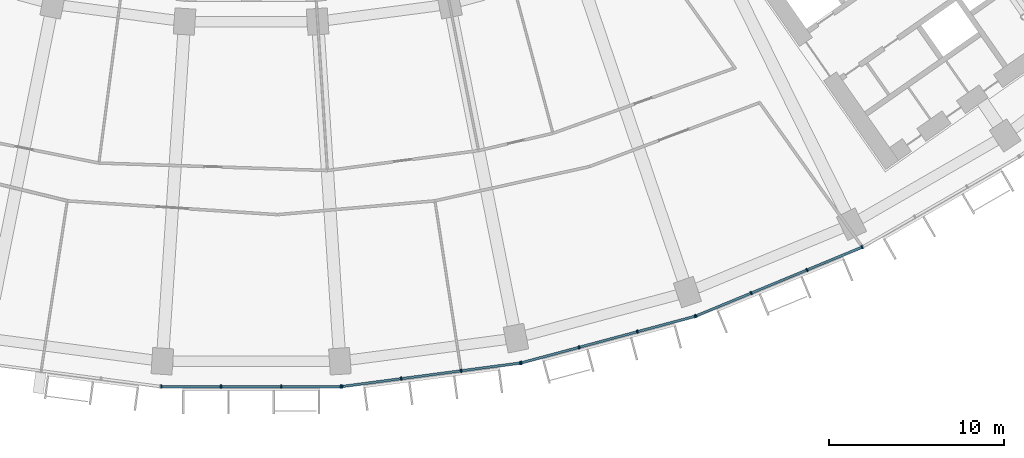
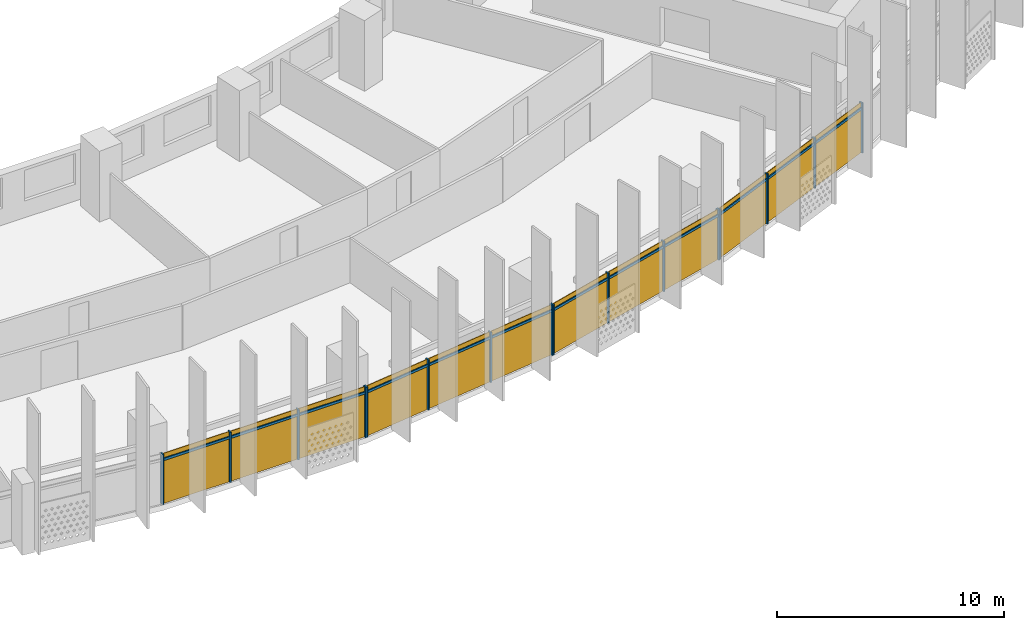
# One storey, part 21 of 30: 28 members, 4 curtain walls.
"""IFC4 building model written with IfcOpenShell, lengths in metres."""

from ifc_helpers import new_model, si_unit, direction, frame, origin, origin_2d, place, context, subcontext, project, spatial, rectangle, extrude, material, material_profile, profile_set, type_object, element, aggregate, save


model = new_model("IFC4")

# Units and contexts
model_context = context("Model", 3, precision=1e-05, world=origin(), true_north=direction((0.0, 1.0)))
body_context = subcontext(model_context, "Body", "Model", "MODEL_VIEW")
ifc_project = project(units=[si_unit("LENGTHUNIT", "METRE"), si_unit("AREAUNIT", "SQUARE_METRE"), si_unit("VOLUMEUNIT", "CUBIC_METRE"), si_unit("PLANEANGLEUNIT", "RADIAN"), si_unit("MASSUNIT", "GRAM", prefix="KILO")], contexts=[model_context])

# Member
ifc_material = material(Name="Aluminium 6063-T6 anodised", Category="aluminium")
ifc_material_profile_1 = material_profile(ifc_material, rectangle(XDim=0.199951171875, YDim=0.070068359375, at=origin_2d()))
ifc_profile_set_1 = profile_set([ifc_material_profile_1], Name="Aluminium 6063-T6 anodised")
member_type_1 = type_object("IfcMemberType", Name="Mullion 70 x 200 aluminium", PredefinedType="MULLION", material=ifc_profile_set_1)
site_placement = place(None, origin())
building_placement = place(site_placement, origin())
storey_placement = place(building_placement, frame((0.0, 0.0, 102.5)))
member_1_placement = place(storey_placement, frame((-5.1513671875, -79.0302734375, 0.0), z_axis=(0.0, 0.0, 1.0), x_axis=(0.0, 1.0, 0.0)))
member_1 = element("IfcMember", 1, at=member_1_placement, type_object=member_type_1, Name="e-cw1-L22-out09/M00", PredefinedType="MULLION", context=body_context, shape_type="SweptSolid", body=[
    extrude(rectangle(XDim=0.199951171875, YDim=0.070068359375, at=origin_2d()), origin(), (0.0, 0.0, 1.0), 2.699951171875),
])

member_2_placement = place(storey_placement, frame((-1.728759765625, -79.0302734375, 0.0), z_axis=(0.0, 0.0, 1.0), x_axis=(0.0, 1.0, 0.0)))
member_2 = element("IfcMember", 2, at=member_2_placement, type_object=member_type_1, Name="e-cw1-L22-out09/M01", PredefinedType="MULLION", context=body_context, shape_type="SweptSolid", body=[
    extrude(rectangle(XDim=0.199951171875, YDim=0.070068359375, at=origin_2d()), origin(), (0.0, 0.0, 1.0), 2.699951171875),
])

member_3_placement = place(storey_placement, frame((1.728759765625, -79.0302734375, 0.0), z_axis=(0.0, 0.0, 1.0), x_axis=(0.0, 1.0, 0.0)))
member_3 = element("IfcMember", 3, at=member_3_placement, type_object=member_type_1, Name="e-cw1-L22-out09/M02", PredefinedType="MULLION", context=body_context, shape_type="SweptSolid", body=[
    extrude(rectangle(XDim=0.199951171875, YDim=0.070068359375, at=origin_2d()), origin(), (0.0, 0.0, 1.0), 2.699951171875),
])

member_4_placement = place(storey_placement, frame((5.1513671875, -79.0302734375, 0.0), z_axis=(0.0, 0.0, 1.0), x_axis=(0.0, 1.0, 0.0)))
member_4 = element("IfcMember", 4, at=member_4_placement, type_object=member_type_1, Name="e-cw1-L22-out09/M03", PredefinedType="MULLION", context=body_context, shape_type="SweptSolid", body=[
    extrude(rectangle(XDim=0.199951171875, YDim=0.070068359375, at=origin_2d()), origin(), (0.0, 0.0, 1.0), 2.699951171875),
])

member_5_placement = place(storey_placement, frame((5.2080078125, -79.026611328125, 0.0), z_axis=(0.0, 0.0, 1.0), x_axis=(-0.13052619222, 0.991444861374, 0.0)))
member_5 = element("IfcMember", 5, at=member_5_placement, type_object=member_type_1, Name="e-cw1-L22-out10/M00", PredefinedType="MULLION", context=body_context, shape_type="SweptSolid", body=[
    extrude(rectangle(XDim=0.199951171875, YDim=0.070068359375, at=origin_2d()), origin(), (0.0, 0.0, 1.0), 2.699951171875),
])

member_6_placement = place(storey_placement, frame((8.6015625, -78.579833984375, 0.0), z_axis=(0.0, 0.0, 1.0), x_axis=(-0.13052619222, 0.991444861374, 0.0)))
member_6 = element("IfcMember", 6, at=member_6_placement, type_object=member_type_1, Name="e-cw1-L22-out10/M01", PredefinedType="MULLION", context=body_context, shape_type="SweptSolid", body=[
    extrude(rectangle(XDim=0.199951171875, YDim=0.070068359375, at=origin_2d()), origin(), (0.0, 0.0, 1.0), 2.699951171875),
])

member_7_placement = place(storey_placement, frame((12.029541015625, -78.12841796875, 0.0), z_axis=(0.0, 0.0, 1.0), x_axis=(-0.13052619222, 0.991444861374, 0.0)))
member_7 = element("IfcMember", 7, at=member_7_placement, type_object=member_type_1, Name="e-cw1-L22-out10/M02", PredefinedType="MULLION", context=body_context, shape_type="SweptSolid", body=[
    extrude(rectangle(XDim=0.199951171875, YDim=0.070068359375, at=origin_2d()), origin(), (0.0, 0.0, 1.0), 2.699951171875),
])

member_8_placement = place(storey_placement, frame((15.4228515625, -77.681640625, 0.0), z_axis=(0.0, 0.0, 1.0), x_axis=(-0.13052619222, 0.991444861374, 0.0)))
member_8 = element("IfcMember", 8, at=member_8_placement, type_object=member_type_1, Name="e-cw1-L22-out10/M03", PredefinedType="MULLION", context=body_context, shape_type="SweptSolid", body=[
    extrude(rectangle(XDim=0.199951171875, YDim=0.070068359375, at=origin_2d()), origin(), (0.0, 0.0, 1.0), 2.699951171875),
])

member_9_placement = place(storey_placement, frame((15.478515625, -77.670654296875, 0.0), z_axis=(0.0, 0.0, 1.0), x_axis=(-0.258819045103, 0.965925826289, 0.0)))
member_9 = element("IfcMember", 9, at=member_9_placement, type_object=member_type_1, Name="e-cw1-L22-out11/M00", PredefinedType="MULLION", context=body_context, shape_type="SweptSolid", body=[
    extrude(rectangle(XDim=0.199951171875, YDim=0.070068359375, at=origin_2d()), origin(), (0.0, 0.0, 1.0), 2.699951171875),
])

member_10_placement = place(storey_placement, frame((18.78466796875, -76.78466796875, 0.0), z_axis=(0.0, 0.0, 1.0), x_axis=(-0.258819045103, 0.965925826289, 0.0)))
member_10 = element("IfcMember", 10, at=member_10_placement, type_object=member_type_1, Name="e-cw1-L22-out11/M01", PredefinedType="MULLION", context=body_context, shape_type="SweptSolid", body=[
    extrude(rectangle(XDim=0.199951171875, YDim=0.070068359375, at=origin_2d()), origin(), (0.0, 0.0, 1.0), 2.699951171875),
])

member_11_placement = place(storey_placement, frame((22.12451171875, -75.889892578125, 0.0), z_axis=(0.0, 0.0, 1.0), x_axis=(-0.258819045103, 0.965925826289, 0.0)))
member_11 = element("IfcMember", 11, at=member_11_placement, type_object=member_type_1, Name="e-cw1-L22-out11/M02", PredefinedType="MULLION", context=body_context, shape_type="SweptSolid", body=[
    extrude(rectangle(XDim=0.199951171875, YDim=0.070068359375, at=origin_2d()), origin(), (0.0, 0.0, 1.0), 2.699951171875),
])

member_12_placement = place(storey_placement, frame((25.430419921875, -75.00390625, 0.0), z_axis=(0.0, 0.0, 1.0), x_axis=(-0.258819045103, 0.965925826289, 0.0)))
member_12 = element("IfcMember", 12, at=member_12_placement, type_object=member_type_1, Name="e-cw1-L22-out11/M03", PredefinedType="MULLION", context=body_context, shape_type="SweptSolid", body=[
    extrude(rectangle(XDim=0.199951171875, YDim=0.070068359375, at=origin_2d()), origin(), (0.0, 0.0, 1.0), 2.699951171875),
])

member_13_placement = place(storey_placement, frame((25.484130859375, -74.98583984375, 0.0), z_axis=(0.0, 0.0, 1.0), x_axis=(-0.382683432365, 0.923879532511, 0.0)))
member_13 = element("IfcMember", 13, at=member_13_placement, type_object=member_type_1, Name="e-cw1-L22-out12/M00", PredefinedType="MULLION", context=body_context, shape_type="SweptSolid", body=[
    extrude(rectangle(XDim=0.199951171875, YDim=0.070068359375, at=origin_2d()), origin(), (0.0, 0.0, 1.0), 2.699951171875),
])

member_14_placement = place(storey_placement, frame((28.646240234375, -73.676025390625, 0.0), z_axis=(0.0, 0.0, 1.0), x_axis=(-0.382683432365, 0.923879532511, 0.0)))
member_14 = element("IfcMember", 14, at=member_14_placement, type_object=member_type_1, Name="e-cw1-L22-out12/M01", PredefinedType="MULLION", context=body_context, shape_type="SweptSolid", body=[
    extrude(rectangle(XDim=0.199951171875, YDim=0.070068359375, at=origin_2d()), origin(), (0.0, 0.0, 1.0), 2.699951171875),
])

member_15_placement = place(storey_placement, frame((31.8408203125, -72.352783203125, 0.0), z_axis=(0.0, 0.0, 1.0), x_axis=(-0.382683432365, 0.923879532511, 0.0)))
member_15 = element("IfcMember", 15, at=member_15_placement, type_object=member_type_1, Name="e-cw1-L22-out12/M02", PredefinedType="MULLION", context=body_context, shape_type="SweptSolid", body=[
    extrude(rectangle(XDim=0.199951171875, YDim=0.070068359375, at=origin_2d()), origin(), (0.0, 0.0, 1.0), 2.699951171875),
])

member_16_placement = place(storey_placement, frame((35.0029296875, -71.04296875, 0.0), z_axis=(0.0, 0.0, 1.0), x_axis=(-0.382683432365, 0.923879532511, 0.0)))
member_16 = element("IfcMember", 16, at=member_16_placement, type_object=member_type_1, Name="e-cw1-L22-out12/M03", PredefinedType="MULLION", context=body_context, shape_type="SweptSolid", body=[
    extrude(rectangle(XDim=0.199951171875, YDim=0.070068359375, at=origin_2d()), origin(), (0.0, 0.0, 1.0), 2.699951171875),
])

ifc_material_profile_2 = material_profile(ifc_material, rectangle(XDim=0.139892578125, YDim=0.1201171875, at=origin_2d()))
ifc_profile_set_2 = profile_set([ifc_material_profile_2], Name="Aluminium 6063-T6 anodised")
member_type_2 = type_object("IfcMemberType", Name="Transom 120 x 140 aluminium", PredefinedType="USERDEFINED", material=ifc_profile_set_2)
member_17_placement = place(storey_placement, frame((-5.116455078125, -79.0302734375, 2.39990234375), z_axis=(1.0, 0.0, 0.0), x_axis=(0.0, 1.0, 0.0)))
member_17 = element("IfcMember", 17, at=member_17_placement, type_object=member_type_2, Name="e-cw1-L22-out09/T00", ObjectType="TRANSOM", PredefinedType="USERDEFINED", context=body_context, shape_type="SweptSolid", body=[
    extrude(rectangle(XDim=0.139892578125, YDim=0.1201171875, at=origin_2d()), origin(), (0.0, 0.0, 1.0), 3.3525390625),
])

member_18_placement = place(storey_placement, frame((-1.69384765625, -79.0302734375, 2.39990234375), z_axis=(1.0, 0.0, 0.0), x_axis=(0.0, 1.0, 0.0)))
member_18 = element("IfcMember", 18, at=member_18_placement, type_object=member_type_2, Name="e-cw1-L22-out09/T01", ObjectType="TRANSOM", PredefinedType="USERDEFINED", context=body_context, shape_type="SweptSolid", body=[
    extrude(rectangle(XDim=0.139892578125, YDim=0.1201171875, at=origin_2d()), origin(), (0.0, 0.0, 1.0), 3.3876953125),
])

member_19_placement = place(storey_placement, frame((1.763916015625, -79.0302734375, 2.39990234375), z_axis=(1.0, 0.0, 0.0), x_axis=(0.0, 1.0, 0.0)))
member_19 = element("IfcMember", 19, at=member_19_placement, type_object=member_type_2, Name="e-cw1-L22-out09/T02", ObjectType="TRANSOM", PredefinedType="USERDEFINED", context=body_context, shape_type="SweptSolid", body=[
    extrude(rectangle(XDim=0.139892578125, YDim=0.1201171875, at=origin_2d()), origin(), (0.0, 0.0, 1.0), 3.3525390625),
])

member_20_placement = place(storey_placement, frame((5.242919921875, -79.02197265625, 2.39990234375), z_axis=(0.991439665896, 0.130565649721, 0.0), x_axis=(-0.130565649721, 0.991439665896, 0.0)))
member_20 = element("IfcMember", 20, at=member_20_placement, type_object=member_type_2, Name="e-cw1-L22-out10/T00", ObjectType="TRANSOM", PredefinedType="USERDEFINED", context=body_context, shape_type="SweptSolid", body=[
    extrude(rectangle(XDim=0.139892578125, YDim=0.1201171875, at=origin_2d()), origin(), (0.0, 0.0, 1.0), 3.352783203125),
])

member_21_placement = place(storey_placement, frame((8.63623046875, -78.5751953125, 2.39990234375), z_axis=(0.991446198807, 0.130516033004, 0.0), x_axis=(-0.130516033004, 0.991446198807, 0.0)))
member_21 = element("IfcMember", 21, at=member_21_placement, type_object=member_type_2, Name="e-cw1-L22-out10/T01", ObjectType="TRANSOM", PredefinedType="USERDEFINED", context=body_context, shape_type="SweptSolid", body=[
    extrude(rectangle(XDim=0.139892578125, YDim=0.1201171875, at=origin_2d()), origin(), (0.0, 0.0, 1.0), 3.3876953125),
])

member_22_placement = place(storey_placement, frame((12.064208984375, -78.123779296875, 2.39990234375), z_axis=(0.991449089759, 0.130494070426, 0.0), x_axis=(-0.130494070426, 0.991449089759, 0.0)))
member_22 = element("IfcMember", 22, at=member_22_placement, type_object=member_type_2, Name="e-cw1-L22-out10/T02", ObjectType="TRANSOM", PredefinedType="USERDEFINED", context=body_context, shape_type="SweptSolid", body=[
    extrude(rectangle(XDim=0.139892578125, YDim=0.1201171875, at=origin_2d()), origin(), (0.0, 0.0, 1.0), 3.3525390625),
])

member_23_placement = place(storey_placement, frame((15.512451171875, -77.66162109375, 2.39990234375), z_axis=(0.965927247937, 0.258813739382, 0.0), x_axis=(-0.258813739382, 0.965927247937, 0.0)))
member_23 = element("IfcMember", 23, at=member_23_placement, type_object=member_type_2, Name="e-cw1-L22-out11/T00", ObjectType="TRANSOM", PredefinedType="USERDEFINED", context=body_context, shape_type="SweptSolid", body=[
    extrude(rectangle(XDim=0.139892578125, YDim=0.1201171875, at=origin_2d()), origin(), (0.0, 0.0, 1.0), 3.3525390625),
])

member_24_placement = place(storey_placement, frame((18.818359375, -76.775634765625, 2.39990234375), z_axis=(0.965931646033, 0.258797324547, 0.0), x_axis=(-0.258797324547, 0.965931646033, 0.0)))
member_24 = element("IfcMember", 24, at=member_24_placement, type_object=member_type_2, Name="e-cw1-L22-out11/T01", ObjectType="TRANSOM", PredefinedType="USERDEFINED", context=body_context, shape_type="SweptSolid", body=[
    extrude(rectangle(XDim=0.139892578125, YDim=0.1201171875, at=origin_2d()), origin(), (0.0, 0.0, 1.0), 3.3876953125),
])

member_25_placement = place(storey_placement, frame((22.158203125, -75.880859375, 2.39990234375), z_axis=(0.965932125453, 0.258795535157, 0.0), x_axis=(-0.258795535157, 0.965932125453, 0.0)))
member_25 = element("IfcMember", 25, at=member_25_placement, type_object=member_type_2, Name="e-cw1-L22-out11/T02", ObjectType="TRANSOM", PredefinedType="USERDEFINED", context=body_context, shape_type="SweptSolid", body=[
    extrude(rectangle(XDim=0.139892578125, YDim=0.1201171875, at=origin_2d()), origin(), (0.0, 0.0, 1.0), 3.352783203125),
])

member_26_placement = place(storey_placement, frame((25.5166015625, -74.972412109375, 2.39990234375), z_axis=(0.923882814237, 0.382675509483, 0.0), x_axis=(-0.382675509483, 0.923882814237, 0.0)))
member_26 = element("IfcMember", 26, at=member_26_placement, type_object=member_type_2, Name="e-cw1-L22-out12/T00", ObjectType="TRANSOM", PredefinedType="USERDEFINED", context=body_context, shape_type="SweptSolid", body=[
    extrude(rectangle(XDim=0.139892578125, YDim=0.1201171875, at=origin_2d()), origin(), (0.0, 0.0, 1.0), 3.3525390625),
])

member_27_placement = place(storey_placement, frame((28.6787109375, -73.66259765625, 2.39990234375), z_axis=(0.923874529423, 0.382695510666, 0.0), x_axis=(-0.382695510666, 0.923874529423, 0.0)))
member_27 = element("IfcMember", 27, at=member_27_placement, type_object=member_type_2, Name="e-cw1-L22-out12/T01", ObjectType="TRANSOM", PredefinedType="USERDEFINED", context=body_context, shape_type="SweptSolid", body=[
    extrude(rectangle(XDim=0.139892578125, YDim=0.1201171875, at=origin_2d()), origin(), (0.0, 0.0, 1.0), 3.387451171875),
])

member_28_placement = place(storey_placement, frame((31.873046875, -72.33935546875, 2.39990234375), z_axis=(0.923882814237, 0.382675509483, 0.0), x_axis=(-0.382675509483, 0.923882814237, 0.0)))
member_28 = element("IfcMember", 28, at=member_28_placement, type_object=member_type_2, Name="e-cw1-L22-out12/T02", ObjectType="TRANSOM", PredefinedType="USERDEFINED", context=body_context, shape_type="SweptSolid", body=[
    extrude(rectangle(XDim=0.139892578125, YDim=0.1201171875, at=origin_2d()), origin(), (0.0, 0.0, 1.0), 3.3525390625),
])

# Site, building, storey
site = spatial("IfcSite", under=ifc_project, at=site_placement, CompositionType="ELEMENT")
building = spatial("IfcBuilding", under=site, at=building_placement, Name="Qamariyya Broadcast Tower", CompositionType="ELEMENT")
storey = spatial("IfcBuildingStorey", under=building, at=storey_placement, Name="L22", CompositionType="ELEMENT", Elevation=102.5)

# Curtain wall
curtain_wall_type = type_object("IfcCurtainWallType", Name="Unitised curtain wall, anodised aluminium", PredefinedType="NOTDEFINED", material=ifc_material)
curtain_wall_1_placement = place(storey_placement, origin())
curtain_wall_1 = element("IfcCurtainWall", 29, at=curtain_wall_1_placement, inside=storey, type_object=curtain_wall_type, Name="e-cw1-L22-out09", PredefinedType="NOTDEFINED", context=body_context, shape_type="SweptSolid", body=[
    extrude(rectangle(XDim=3.352783203125, YDim=0.031982421875, at=origin_2d()), frame((-3.440185546875, -79.0302734375, 0.0), x_axis=(1.0, 0.0, 0.0)), (0.0, 0.0, 1.0), 2.340087890625),
    extrude(rectangle(XDim=3.352783203125, YDim=0.031982421875, at=origin_2d()), frame((-3.440185546875, -79.0302734375, 2.4599609375), x_axis=(1.0, 0.0, 0.0)), (0.0, 0.0, 1.0), 0.239990234375),
    extrude(rectangle(XDim=3.3876953125, YDim=0.031982421875, at=origin_2d()), frame((0.0, -79.0302734375, 0.0), x_axis=(1.0, 0.0, 0.0)), (0.0, 0.0, 1.0), 2.340087890625),
    extrude(rectangle(XDim=3.3876953125, YDim=0.031982421875, at=origin_2d()), frame((0.0, -79.0302734375, 2.4599609375), x_axis=(1.0, 0.0, 0.0)), (0.0, 0.0, 1.0), 0.239990234375),
    extrude(rectangle(XDim=3.352783203125, YDim=0.031982421875, at=origin_2d()), frame((3.440185546875, -79.0302734375, 0.0), x_axis=(1.0, 0.0, 0.0)), (0.0, 0.0, 1.0), 2.340087890625),
    extrude(rectangle(XDim=3.352783203125, YDim=0.031982421875, at=origin_2d()), frame((3.440185546875, -79.0302734375, 2.4599609375), x_axis=(1.0, 0.0, 0.0)), (0.0, 0.0, 1.0), 0.239990234375),
])

aggregate(curtain_wall_1, [member_1, member_2, member_3, member_4, member_17, member_18, member_19])

curtain_wall_2_placement = place(storey_placement, origin())
curtain_wall_2 = element("IfcCurtainWall", 30, at=curtain_wall_2_placement, inside=storey, type_object=curtain_wall_type, Name="e-cw1-L22-out10", PredefinedType="NOTDEFINED", context=body_context, shape_type="SweptSolid", body=[
    extrude(rectangle(XDim=3.3525390625, YDim=0.031982421875, at=origin_2d()), frame((6.90478515625, -78.802978515625, 0.0), x_axis=(0.991447084105, 0.13050930779, 0.0)), (0.0, 0.0, 1.0), 2.340087890625),
    extrude(rectangle(XDim=3.3525390625, YDim=0.031982421875, at=origin_2d()), frame((6.90478515625, -78.802978515625, 2.4599609375), x_axis=(0.991447084105, 0.13050930779, 0.0)), (0.0, 0.0, 1.0), 0.239990234375),
    extrude(rectangle(XDim=3.3876953125, YDim=0.031982421875, at=origin_2d()), frame((10.3154296875, -78.35400390625, 0.0), x_axis=(0.991447084105, 0.13050930779, 0.0)), (0.0, 0.0, 1.0), 2.340087890625),
    extrude(rectangle(XDim=3.3876953125, YDim=0.031982421875, at=origin_2d()), frame((10.3154296875, -78.35400390625, 2.4599609375), x_axis=(0.991447084105, 0.13050930779, 0.0)), (0.0, 0.0, 1.0), 0.239990234375),
    extrude(rectangle(XDim=3.3525390625, YDim=0.031982421875, at=origin_2d()), frame((13.72607421875, -77.9052734375, 0.0), x_axis=(0.991447084105, 0.13050930779, 0.0)), (0.0, 0.0, 1.0), 2.340087890625),
    extrude(rectangle(XDim=3.3525390625, YDim=0.031982421875, at=origin_2d()), frame((13.72607421875, -77.9052734375, 2.4599609375), x_axis=(0.991447084105, 0.13050930779, 0.0)), (0.0, 0.0, 1.0), 0.239990234375),
])

aggregate(curtain_wall_2, [member_5, member_6, member_7, member_8, member_20, member_21, member_22])

curtain_wall_3_placement = place(storey_placement, origin())
curtain_wall_3 = element("IfcCurtainWall", 31, at=curtain_wall_3_placement, inside=storey, type_object=curtain_wall_type, Name="e-cw1-L22-out11", PredefinedType="NOTDEFINED", context=body_context, shape_type="SweptSolid", body=[
    extrude(rectangle(XDim=3.352783203125, YDim=0.031982421875, at=origin_2d()), frame((17.131591796875, -77.227783203125, 0.0), x_axis=(0.965923677743, 0.258827063454, 0.0)), (0.0, 0.0, 1.0), 2.340087890625),
    extrude(rectangle(XDim=3.352783203125, YDim=0.031982421875, at=origin_2d()), frame((17.131591796875, -77.227783203125, 2.4599609375), x_axis=(0.965923677743, 0.258827063454, 0.0)), (0.0, 0.0, 1.0), 0.239990234375),
    extrude(rectangle(XDim=3.3876953125, YDim=0.031982421875, at=origin_2d()), frame((20.45458984375, -76.33740234375, 0.0), x_axis=(0.965923677743, 0.258827063454, 0.0)), (0.0, 0.0, 1.0), 2.340087890625),
    extrude(rectangle(XDim=3.3876953125, YDim=0.031982421875, at=origin_2d()), frame((20.45458984375, -76.33740234375, 2.4599609375), x_axis=(0.965923677743, 0.258827063454, 0.0)), (0.0, 0.0, 1.0), 0.239990234375),
    extrude(rectangle(XDim=3.352783203125, YDim=0.031982421875, at=origin_2d()), frame((23.777587890625, -75.44677734375, 0.0), x_axis=(0.965923677743, 0.258827063454, 0.0)), (0.0, 0.0, 1.0), 2.340087890625),
    extrude(rectangle(XDim=3.352783203125, YDim=0.031982421875, at=origin_2d()), frame((23.777587890625, -75.44677734375, 2.4599609375), x_axis=(0.965923677743, 0.258827063454, 0.0)), (0.0, 0.0, 1.0), 0.239990234375),
])

aggregate(curtain_wall_3, [member_9, member_10, member_11, member_12, member_23, member_24, member_25])

curtain_wall_4_placement = place(storey_placement, origin())
curtain_wall_4 = element("IfcCurtainWall", 32, at=curtain_wall_4_placement, inside=storey, type_object=curtain_wall_type, Name="e-cw1-L22-out12", PredefinedType="NOTDEFINED", context=body_context, shape_type="SweptSolid", body=[
    extrude(rectangle(XDim=3.3525390625, YDim=0.031982421875, at=origin_2d()), frame((27.065185546875, -74.3310546875, 0.0), x_axis=(0.923872250857, 0.382701011361, 0.0)), (0.0, 0.0, 1.0), 2.340087890625),
    extrude(rectangle(XDim=3.3525390625, YDim=0.031982421875, at=origin_2d()), frame((27.065185546875, -74.3310546875, 2.4599609375), x_axis=(0.923872250857, 0.382701011361, 0.0)), (0.0, 0.0, 1.0), 0.239990234375),
    extrude(rectangle(XDim=3.3876953125, YDim=0.031982421875, at=origin_2d()), frame((30.24365234375, -73.014404296875, 0.0), x_axis=(0.923872250857, 0.382701011361, 0.0)), (0.0, 0.0, 1.0), 2.340087890625),
    extrude(rectangle(XDim=3.3876953125, YDim=0.031982421875, at=origin_2d()), frame((30.24365234375, -73.014404296875, 2.4599609375), x_axis=(0.923872250857, 0.382701011361, 0.0)), (0.0, 0.0, 1.0), 0.239990234375),
    extrude(rectangle(XDim=3.3525390625, YDim=0.031982421875, at=origin_2d()), frame((33.421875, -71.69775390625, 0.0), x_axis=(0.923872250857, 0.382701011361, 0.0)), (0.0, 0.0, 1.0), 2.340087890625),
    extrude(rectangle(XDim=3.3525390625, YDim=0.031982421875, at=origin_2d()), frame((33.421875, -71.69775390625, 2.4599609375), x_axis=(0.923872250857, 0.382701011361, 0.0)), (0.0, 0.0, 1.0), 0.239990234375),
])

aggregate(curtain_wall_4, [member_13, member_14, member_15, member_16, member_26, member_27, member_28])

save(model, "model.ifc")
